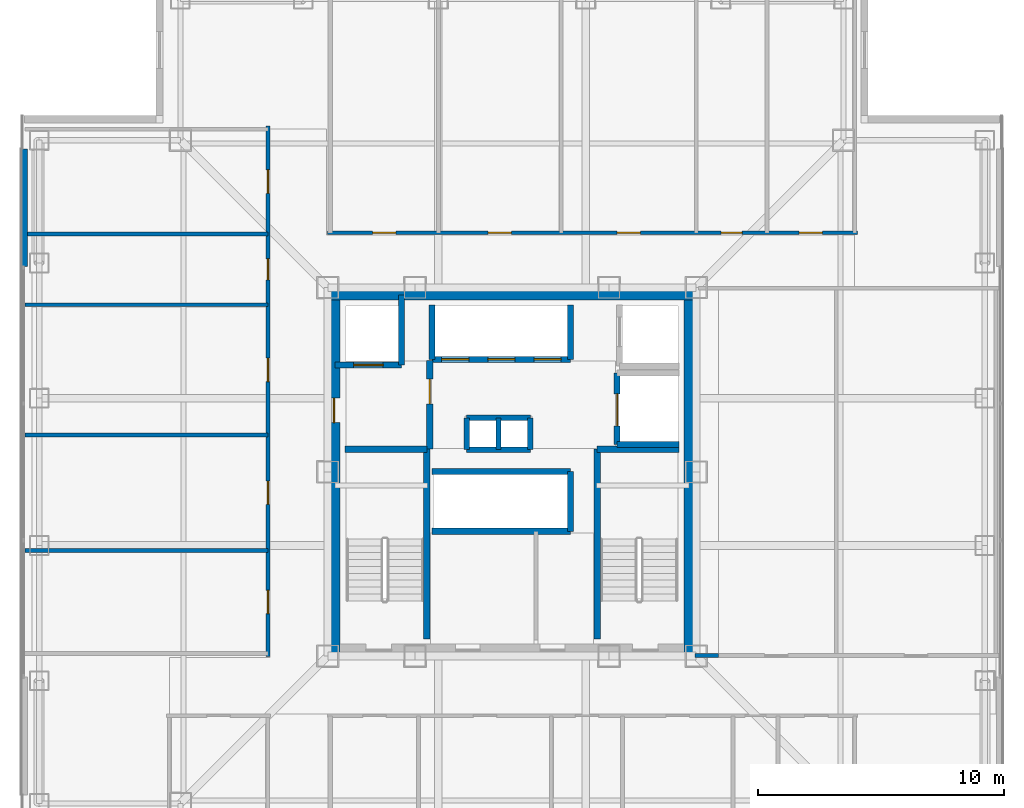
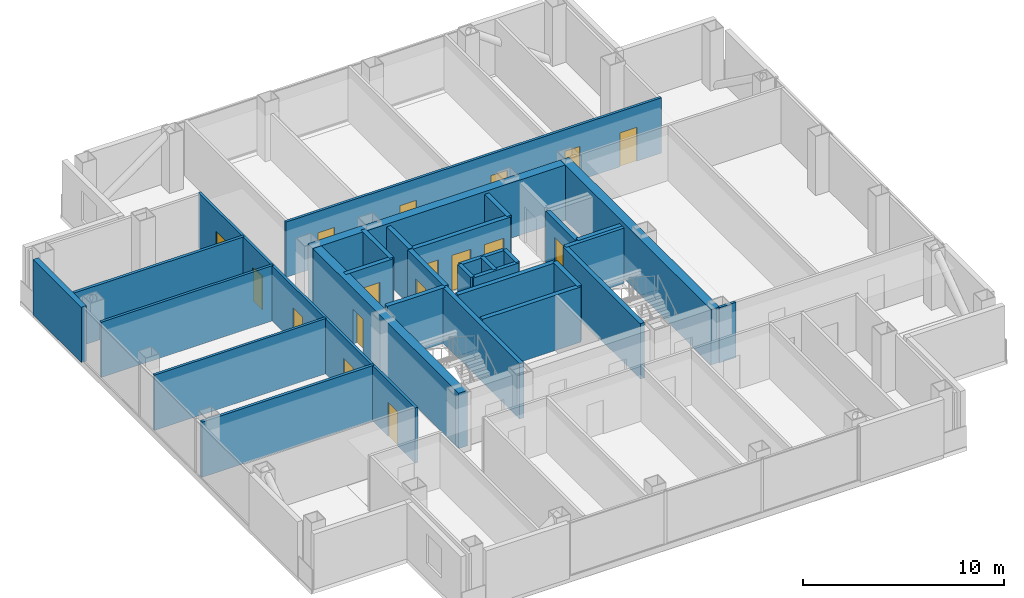
# One storey, part 10 of 17: 31 walls, 17 doors, 17 openings.
"""IFC4 building model written with IfcOpenShell, lengths in metres."""

from ifc_helpers import new_model, si_unit, direction, frame, frame_2d, origin, place, context, subcontext, project, spatial, rectangle, extrude, material, layer, layer_set, type_object, element, fill, save


model = new_model("IFC4")

# Units and contexts
model_context = context("Model", 3, precision=1e-05, world=origin(), true_north=direction((0.0, 1.0)))
body_context = subcontext(model_context, "Body", "Model", "MODEL_VIEW")
ifc_project = project(units=[si_unit("LENGTHUNIT", "METRE"), si_unit("AREAUNIT", "SQUARE_METRE"), si_unit("VOLUMEUNIT", "CUBIC_METRE"), si_unit("PLANEANGLEUNIT", "RADIAN"), si_unit("MASSUNIT", "GRAM", prefix="KILO")], contexts=[model_context])

# Site, building, storey
site_placement = place(None, origin())
site = spatial("IfcSite", under=ifc_project, at=site_placement, CompositionType="ELEMENT")
building_placement = place(site_placement, origin())
building = spatial("IfcBuilding", under=site, at=building_placement, Name="Trevonay Congress Spire", CompositionType="ELEMENT")
storey_placement = place(building_placement, frame((0.0, 0.0, 169.800048828125)))
storey = spatial("IfcBuildingStorey", under=building, at=storey_placement, Name="L43", CompositionType="ELEMENT", Elevation=169.800048828125)

# Wall
ifc_material_1 = material(Name="Concrete C50/60", Category="concrete")
ifc_layer_1 = layer(ifc_material_1, 0.5, Name="Concrete C50/60")
ifc_layer_set_1 = layer_set([ifc_layer_1], Name="Concrete C50/60")
wall_type_1 = type_object("IfcWallType", Name="WAL-CORE-500", PredefinedType="SHEAR", material=ifc_layer_set_1)
wall_1_placement = place(storey_placement, frame((-7.5, 7.25, 0.0), z_axis=(0.0, 0.0, 1.0), x_axis=(1.0, 0.0, 0.0)))
element("IfcWall", 1, at=wall_1_placement, inside=storey, type_object=wall_type_1, Name="L43 North structural core shear wall", PredefinedType="SHEAR", context=body_context, shape_type="SweptSolid", body=[
    extrude(rectangle(XDim=15.0, YDim=0.5, at=frame_2d((7.5, 0.0))), origin(), (0.0, 0.0, 1.0), 3.35986328125),
])

# Wall, opening, door
wall_2_placement = place(storey_placement, frame((-7.25, -7.5, 0.0), z_axis=(0.0, 0.0, 1.0), x_axis=(0.0, 1.0, 0.0)))
wall_2 = element("IfcWall", 2, at=wall_2_placement, inside=storey, type_object=wall_type_1, Name="L43 West structural core shear wall", PredefinedType="SHEAR", context=body_context, shape_type="SweptSolid", body=[
    extrude(rectangle(XDim=15.0, YDim=0.5, at=frame_2d((7.5, 0.0))), origin(), (0.0, 0.0, 1.0), 3.35986328125),
])
opening_1_placement = place(wall_2_placement, frame((9.5, 0.0, 0.0)))
opening_1 = element("IfcOpeningElement", 3, at=opening_1_placement, cuts=wall_2, Name="Opening D06", PredefinedType="OPENING", context=body_context, shape_type="SweptSolid", body=[
    extrude(rectangle(XDim=1.0, YDim=2.080078125, at=frame_2d((0.5, 1.0400390625))), frame((0.0, 0.260009765625, 0.0), z_axis=(0.0, -1.0, 0.0), x_axis=(1.0, 0.0, 0.0)), (0.0, 0.0, 1.0), 0.52001953125),
])
ifc_material_2 = material(Name="Steel ASTM A572 Grade 50", Category="steel")
door_type_1 = type_object("IfcDoorType", Name="DOR-FIRE-100", OperationType="NOTDEFINED", PredefinedType="DOOR", material=ifc_material_2)
door_1_placement = place(opening_1_placement, origin())
door_1 = element("IfcDoor", 4, at=door_1_placement, inside=storey, type_object=door_type_1, Name="L43 Firefighting Lift Lobby West Corridor Door", OperationType="SINGLE_SWING_LEFT", OverallHeight=2.080078125, OverallWidth=1.0, PredefinedType="DOOR", context=body_context, shape_type="SweptSolid", body=[
    extrude(rectangle(XDim=1.0, YDim=2.080078125, at=frame_2d((0.5, 1.0400390625))), frame((0.0, 0.02490234375, 0.0), z_axis=(0.0, -1.0, 0.0), x_axis=(1.0, 0.0, 0.0)), (0.0, 0.0, 1.0), 0.050048828125),
])
fill(opening_1, door_1)

# Wall
wall_3_placement = place(storey_placement, frame((7.25, -7.5, 0.0), z_axis=(0.0, 0.0, 1.0), x_axis=(0.0, 1.0, 0.0)))
element("IfcWall", 5, at=wall_3_placement, inside=storey, type_object=wall_type_1, Name="L43 East structural core shear wall", PredefinedType="SHEAR", context=body_context, shape_type="SweptSolid", body=[
    extrude(rectangle(XDim=15.0, YDim=0.5, at=frame_2d((7.5, 0.0))), origin(), (0.0, 0.0, 1.0), 3.35986328125),
])

# Wall, openings, doors
ifc_material_3 = material(Name="Concrete C40/50", Category="concrete")
ifc_layer_2 = layer(ifc_material_3, 0.14990234375, Name="Concrete C40/50")
ifc_layer_set_2 = layer_set([ifc_layer_2], Name="Concrete C40/50")
wall_type_2 = type_object("IfcWallType", Name="WAL-CORR-150", PredefinedType="PARTITIONING", material=ifc_layer_set_2)
wall_4_placement = place(storey_placement, frame((-9.929931640625, -7.52001953125, 0.0), z_axis=(0.0, 0.0, 1.0), x_axis=(0.0, 1.0, 0.0)))
wall_4 = element("IfcWall", 6, at=wall_4_placement, inside=storey, type_object=wall_type_2, Name="L43 interior wall WP-L43NW-COR", PredefinedType="PARTITIONING", context=body_context, shape_type="SweptSolid", body=[
    extrude(rectangle(XDim=21.590087890625, YDim=0.14990234375, at=frame_2d((10.794921875, 0.0))), origin(), (0.0, 0.0, 1.0), 3.35986328125),
])
opening_2_placement = place(wall_4_placement, frame((1.7451171875, 0.0, 0.0)))
opening_2 = element("IfcOpeningElement", 7, at=opening_2_placement, cuts=wall_4, Name="Opening D07", PredefinedType="OPENING", context=body_context, shape_type="SweptSolid", body=[
    extrude(rectangle(XDim=0.949951171875, YDim=2.06005859375, at=frame_2d((0.47509765625, 1.030029296875))), frame((0.0, 0.0849609375, 0.0), z_axis=(0.0, -1.0, 0.0), x_axis=(1.0, 0.0, 0.0)), (0.0, 0.0, 1.0), 0.169921875),
])
opening_3_placement = place(wall_4_placement, frame((6.195068359375, 0.0, 0.0)))
opening_3 = element("IfcOpeningElement", 8, at=opening_3_placement, cuts=wall_4, Name="Opening D07", PredefinedType="OPENING", context=body_context, shape_type="SweptSolid", body=[
    extrude(rectangle(XDim=0.949951171875, YDim=2.06005859375, at=frame_2d((0.47509765625, 1.030029296875))), frame((0.0, 0.0849609375, 0.0), z_axis=(0.0, -1.0, 0.0), x_axis=(1.0, 0.0, 0.0)), (0.0, 0.0, 1.0), 0.169921875),
])
opening_4_placement = place(wall_4_placement, frame((11.195068359375, 0.0, 0.0)))
opening_4 = element("IfcOpeningElement", 9, at=opening_4_placement, cuts=wall_4, Name="Opening D07", PredefinedType="OPENING", context=body_context, shape_type="SweptSolid", body=[
    extrude(rectangle(XDim=0.949951171875, YDim=2.06005859375, at=frame_2d((0.47509765625, 1.030029296875))), frame((0.0, 0.0849609375, 0.0), z_axis=(0.0, -1.0, 0.0), x_axis=(1.0, 0.0, 0.0)), (0.0, 0.0, 1.0), 0.169921875),
])
opening_5_placement = place(wall_4_placement, frame((15.3349609375, 0.0, 0.0)))
opening_5 = element("IfcOpeningElement", 10, at=opening_5_placement, cuts=wall_4, Name="Opening D10", PredefinedType="OPENING", context=body_context, shape_type="SweptSolid", body=[
    extrude(rectangle(XDim=0.85009765625, YDim=2.050048828125, at=frame_2d((0.425048828125, 1.02490234375))), frame((0.0, 0.0849609375, 0.0), z_axis=(0.0, -1.0, 0.0), x_axis=(1.0, 0.0, 0.0)), (0.0, 0.0, 1.0), 0.169921875),
])
opening_6_placement = place(wall_4_placement, frame((18.860107421875, 0.0, 0.0)))
opening_6 = element("IfcOpeningElement", 11, at=opening_6_placement, cuts=wall_4, Name="Opening D07", PredefinedType="OPENING", context=body_context, shape_type="SweptSolid", body=[
    extrude(rectangle(XDim=0.949951171875, YDim=2.06005859375, at=frame_2d((0.47509765625, 1.030029296875))), frame((0.0, 0.0849609375, 0.0), z_axis=(0.0, -1.0, 0.0), x_axis=(1.0, 0.0, 0.0)), (0.0, 0.0, 1.0), 0.169921875),
])
ifc_material_4 = material(Name="Pale Anodised Aluminium EN AW-6063-T6", Category="aluminium")
door_type_2 = type_object("IfcDoorType", Name="DOR-OFFICE-95", OperationType="NOTDEFINED", PredefinedType="DOOR", material=ifc_material_4)
door_2_placement = place(opening_2_placement, origin())
door_2 = element("IfcDoor", 12, at=door_2_placement, inside=storey, type_object=door_type_2, Name="L43 Charterparty Office 5 Door", OperationType="SINGLE_SWING_RIGHT", OverallHeight=2.06005859375, OverallWidth=0.949951171875, PredefinedType="DOOR", context=body_context, shape_type="SweptSolid", body=[
    extrude(rectangle(XDim=0.949951171875, YDim=2.06005859375, at=frame_2d((0.47509765625, 1.030029296875))), frame((0.0, 0.02490234375, 0.0), z_axis=(0.0, -1.0, 0.0), x_axis=(1.0, 0.0, 0.0)), (0.0, 0.0, 1.0), 0.050048828125),
])
fill(opening_2, door_2)
door_3_placement = place(opening_3_placement, origin())
door_3 = element("IfcDoor", 13, at=door_3_placement, inside=storey, type_object=door_type_2, Name="L43 Claims Office 6 Door", OperationType="SINGLE_SWING_LEFT", OverallHeight=2.06005859375, OverallWidth=0.949951171875, PredefinedType="DOOR", context=body_context, shape_type="SweptSolid", body=[
    extrude(rectangle(XDim=0.949951171875, YDim=2.06005859375, at=frame_2d((0.47509765625, 1.030029296875))), frame((0.0, 0.02490234375, 0.0), z_axis=(0.0, -1.0, 0.0), x_axis=(1.0, 0.0, 0.0)), (0.0, 0.0, 1.0), 0.050048828125),
])
fill(opening_3, door_3)
door_4_placement = place(opening_4_placement, origin())
door_4 = element("IfcDoor", 14, at=door_4_placement, inside=storey, type_object=door_type_2, Name="L43 Registry Office 7 Door", OperationType="SINGLE_SWING_RIGHT", OverallHeight=2.06005859375, OverallWidth=0.949951171875, PredefinedType="DOOR", context=body_context, shape_type="SweptSolid", body=[
    extrude(rectangle(XDim=0.949951171875, YDim=2.06005859375, at=frame_2d((0.47509765625, 1.030029296875))), frame((0.0, 0.02490234375, 0.0), z_axis=(0.0, -1.0, 0.0), x_axis=(1.0, 0.0, 0.0)), (0.0, 0.0, 1.0), 0.050048828125),
])
fill(opening_4, door_4)
door_5_placement = place(opening_6_placement, origin())
door_5 = element("IfcDoor", 15, at=door_5_placement, inside=storey, type_object=door_type_2, Name="L43 Floor Supplies and Copy Room Door", OperationType="SINGLE_SWING_RIGHT", OverallHeight=2.06005859375, OverallWidth=0.949951171875, PredefinedType="DOOR", context=body_context, shape_type="SweptSolid", body=[
    extrude(rectangle(XDim=0.949951171875, YDim=2.06005859375, at=frame_2d((0.47509765625, 1.030029296875))), frame((0.0, 0.02490234375, 0.0), z_axis=(0.0, -1.0, 0.0), x_axis=(1.0, 0.0, 0.0)), (0.0, 0.0, 1.0), 0.050048828125),
])
fill(opening_6, door_5)
door_type_3 = type_object("IfcDoorType", Name="DOR-WC-85", OperationType="NOTDEFINED", PredefinedType="DOOR", material=ifc_material_4)
door_6_placement = place(opening_5_placement, origin())
door_6 = element("IfcDoor", 16, at=door_6_placement, inside=storey, type_object=door_type_3, Name="L43 Male Restroom WC Door", OperationType="SINGLE_SWING_LEFT", OverallHeight=2.050048828125, OverallWidth=0.85009765625, PredefinedType="DOOR", context=body_context, shape_type="SweptSolid", body=[
    extrude(rectangle(XDim=0.85009765625, YDim=2.050048828125, at=frame_2d((0.425048828125, 1.02490234375))), frame((0.0, 0.02490234375, 0.0), z_axis=(0.0, -1.0, 0.0), x_axis=(1.0, 0.0, 0.0)), (0.0, 0.0, 1.0), 0.050048828125),
])
fill(opening_5, door_6)

wall_5_placement = place(storey_placement, frame((-7.52001953125, 9.72998046875, 0.0), z_axis=(0.0, 0.0, 1.0), x_axis=(1.0, 0.0, 0.0)))
wall_5 = element("IfcWall", 17, at=wall_5_placement, inside=storey, type_object=wall_type_2, Name="L43 interior wall WP-L43N-COR", PredefinedType="PARTITIONING", context=body_context, shape_type="SweptSolid", body=[
    extrude(rectangle(XDim=21.590087890625, YDim=0.14990234375, at=frame_2d((10.794921875, 0.0))), origin(), (0.0, 0.0, 1.0), 3.35986328125),
])
opening_7_placement = place(wall_5_placement, frame((1.844970703125, 0.0, 0.0)))
opening_7 = element("IfcOpeningElement", 18, at=opening_7_placement, cuts=wall_5, Name="Opening D07", PredefinedType="OPENING", context=body_context, shape_type="SweptSolid", body=[
    extrude(rectangle(XDim=0.949951171875, YDim=2.06005859375, at=frame_2d((0.47509765625, 1.030029296875))), frame((0.0, 0.0849609375, 0.0), z_axis=(0.0, -1.0, 0.0), x_axis=(1.0, 0.0, 0.0)), (0.0, 0.0, 1.0), 0.169921875),
])
opening_8_placement = place(wall_5_placement, frame((6.544921875, 0.0, 0.0)))
opening_8 = element("IfcOpeningElement", 19, at=opening_8_placement, cuts=wall_5, Name="Opening D07", PredefinedType="OPENING", context=body_context, shape_type="SweptSolid", body=[
    extrude(rectangle(XDim=0.949951171875, YDim=2.06005859375, at=frame_2d((0.47509765625, 1.030029296875))), frame((0.0, 0.0849609375, 0.0), z_axis=(0.0, -1.0, 0.0), x_axis=(1.0, 0.0, 0.0)), (0.0, 0.0, 1.0), 0.169921875),
])
opening_9_placement = place(wall_5_placement, frame((11.794921875, 0.0, 0.0)))
opening_9 = element("IfcOpeningElement", 20, at=opening_9_placement, cuts=wall_5, Name="Opening D07", PredefinedType="OPENING", context=body_context, shape_type="SweptSolid", body=[
    extrude(rectangle(XDim=0.949951171875, YDim=2.06005859375, at=frame_2d((0.47509765625, 1.030029296875))), frame((0.0, 0.0849609375, 0.0), z_axis=(0.0, -1.0, 0.0), x_axis=(1.0, 0.0, 0.0)), (0.0, 0.0, 1.0), 0.169921875),
])
opening_10_placement = place(wall_5_placement, frame((16.034912109375, 0.0, 0.0)))
opening_10 = element("IfcOpeningElement", 21, at=opening_10_placement, cuts=wall_5, Name="Opening D10", PredefinedType="OPENING", context=body_context, shape_type="SweptSolid", body=[
    extrude(rectangle(XDim=0.85009765625, YDim=2.050048828125, at=frame_2d((0.425048828125, 1.02490234375))), frame((0.0, 0.0849609375, 0.0), z_axis=(0.0, -1.0, 0.0), x_axis=(1.0, 0.0, 0.0)), (0.0, 0.0, 1.0), 0.169921875),
])
opening_11_placement = place(wall_5_placement, frame((19.2099609375, 0.0, 0.0)))
opening_11 = element("IfcOpeningElement", 22, at=opening_11_placement, cuts=wall_5, Name="Opening D07", PredefinedType="OPENING", context=body_context, shape_type="SweptSolid", body=[
    extrude(rectangle(XDim=0.949951171875, YDim=2.06005859375, at=frame_2d((0.47509765625, 1.030029296875))), frame((0.0, 0.0849609375, 0.0), z_axis=(0.0, -1.0, 0.0), x_axis=(1.0, 0.0, 0.0)), (0.0, 0.0, 1.0), 0.169921875),
])
door_7_placement = place(opening_7_placement, origin())
door_7 = element("IfcDoor", 23, at=door_7_placement, inside=storey, type_object=door_type_2, Name="L43 Tax Counsel Office 8 Door", OperationType="SINGLE_SWING_LEFT", OverallHeight=2.06005859375, OverallWidth=0.949951171875, PredefinedType="DOOR", context=body_context, shape_type="SweptSolid", body=[
    extrude(rectangle(XDim=0.949951171875, YDim=2.06005859375, at=frame_2d((0.47509765625, 1.030029296875))), frame((0.0, 0.02490234375, 0.0), z_axis=(0.0, -1.0, 0.0), x_axis=(1.0, 0.0, 0.0)), (0.0, 0.0, 1.0), 0.050048828125),
])
fill(opening_7, door_7)
door_8_placement = place(opening_8_placement, origin())
door_8 = element("IfcDoor", 24, at=door_8_placement, inside=storey, type_object=door_type_2, Name="L43 Compliance Office 9 Door", OperationType="SINGLE_SWING_RIGHT", OverallHeight=2.06005859375, OverallWidth=0.949951171875, PredefinedType="DOOR", context=body_context, shape_type="SweptSolid", body=[
    extrude(rectangle(XDim=0.949951171875, YDim=2.06005859375, at=frame_2d((0.47509765625, 1.030029296875))), frame((0.0, 0.02490234375, 0.0), z_axis=(0.0, -1.0, 0.0), x_axis=(1.0, 0.0, 0.0)), (0.0, 0.0, 1.0), 0.050048828125),
])
fill(opening_8, door_8)
door_9_placement = place(opening_9_placement, origin())
door_9 = element("IfcDoor", 25, at=door_9_placement, inside=storey, type_object=door_type_2, Name="L43 Billing Office 10 Door", OperationType="SINGLE_SWING_LEFT", OverallHeight=2.06005859375, OverallWidth=0.949951171875, PredefinedType="DOOR", context=body_context, shape_type="SweptSolid", body=[
    extrude(rectangle(XDim=0.949951171875, YDim=2.06005859375, at=frame_2d((0.47509765625, 1.030029296875))), frame((0.0, 0.02490234375, 0.0), z_axis=(0.0, -1.0, 0.0), x_axis=(1.0, 0.0, 0.0)), (0.0, 0.0, 1.0), 0.050048828125),
])
fill(opening_9, door_9)
door_10_placement = place(opening_11_placement, origin())
door_10 = element("IfcDoor", 26, at=door_10_placement, inside=storey, type_object=door_type_2, Name="L43 Floor Supplies and Copy Room Door", OperationType="SINGLE_SWING_LEFT", OverallHeight=2.06005859375, OverallWidth=0.949951171875, PredefinedType="DOOR", context=body_context, shape_type="SweptSolid", body=[
    extrude(rectangle(XDim=0.949951171875, YDim=2.06005859375, at=frame_2d((0.47509765625, 1.030029296875))), frame((0.0, 0.02490234375, 0.0), z_axis=(0.0, -1.0, 0.0), x_axis=(1.0, 0.0, 0.0)), (0.0, 0.0, 1.0), 0.050048828125),
])
fill(opening_11, door_10)
door_11_placement = place(opening_10_placement, origin())
door_11 = element("IfcDoor", 27, at=door_11_placement, inside=storey, type_object=door_type_3, Name="L43 Female Restroom WC Door", OperationType="SINGLE_SWING_RIGHT", OverallHeight=2.050048828125, OverallWidth=0.85009765625, PredefinedType="DOOR", context=body_context, shape_type="SweptSolid", body=[
    extrude(rectangle(XDim=0.85009765625, YDim=2.050048828125, at=frame_2d((0.425048828125, 1.02490234375))), frame((0.0, 0.02490234375, 0.0), z_axis=(0.0, -1.0, 0.0), x_axis=(1.0, 0.0, 0.0)), (0.0, 0.0, 1.0), 0.050048828125),
])
fill(opening_10, door_11)

# Walls
wall_6_placement = place(storey_placement, frame((7.449951171875, -7.47998046875, 0.0), z_axis=(0.0, 0.0, 1.0), x_axis=(1.0, 0.0, 0.0)))
element("IfcWall", 28, at=wall_6_placement, inside=storey, type_object=wall_type_2, Name="L43 interior wall WP-L43E-STUB", PredefinedType="PARTITIONING", context=body_context, shape_type="SweptSolid", body=[
    extrude(rectangle(XDim=0.949951171875, YDim=0.14990234375, at=frame_2d((0.47509765625, 0.0))), origin(), (0.0, 0.0, 1.0), 3.35986328125),
])
ifc_material_5 = material(Name="Precast concrete C40/50", Category="concrete")
ifc_layer_3 = layer(ifc_material_5, 0.300048828125, Name="Precast concrete C40/50")
ifc_layer_set_3 = layer_set([ifc_layer_3], Name="Precast concrete C40/50")
wall_type_3 = type_object("IfcWallType", Name="WAL-EXT-PRECAST-300", PredefinedType="SOLIDWALL", material=ifc_layer_set_3)
wall_7_placement = place(storey_placement, frame((-19.8798828125, 8.35009765625, 0.0), z_axis=(0.0, 0.0, 1.0), x_axis=(0.0, 1.0, 0.0)))
element("IfcWall", 29, at=wall_7_placement, inside=storey, type_object=wall_type_3, Name="L43 WR braced-bay exterior pier wall", PredefinedType="SOLIDWALL", context=body_context, shape_type="SweptSolid", body=[
    extrude(rectangle(XDim=4.7998046875, YDim=0.300048828125, at=frame_2d((2.39990234375, 0.0))), origin(), (0.0, 0.0, 1.0), 3.35986328125),
])
ifc_layer_4 = layer(ifc_material_3, 0.14990234375, Name="Concrete C40/50")
ifc_layer_set_4 = layer_set([ifc_layer_4], Name="Concrete C40/50")
wall_type_4 = type_object("IfcWallType", Name="WAL-PART-150", PredefinedType="PARTITIONING", material=ifc_layer_set_4)
for number, where, z_axis, x_axis, name in (
    (30, (-19.820068359375, 1.5, 0.0), (0.0, 0.0, 1.0), (1.0, 0.0, 0.0), "L43 interior wall WP-L43NW-DIV3"),
    (31, (-19.820068359375, 6.800048828125, 0.0), (0.0, 0.0, 1.0), (1.0, 0.0, 0.0), "L43 interior wall WP-L43NW-DIV4"),
):
    element("IfcWall", number, at=place(storey_placement, frame(where, z_axis=z_axis, x_axis=x_axis)), inside=storey, type_object=wall_type_4, Name=name, PredefinedType="PARTITIONING", context=body_context, shape_type="SweptSolid", body=[
        extrude(rectangle(XDim=9.89013671875, YDim=0.14990234375, at=frame_2d((4.945068359375, 0.0))), origin(), (0.0, 0.0, 1.0), 3.35986328125),
    ])
ifc_layer_5 = layer(ifc_material_3, 0.219970703125, Name="Concrete C40/50")
ifc_layer_set_5 = layer_set([ifc_layer_5], Name="Concrete C40/50")
wall_type_5 = type_object("IfcWallType", Name="WAL-SHAFT-220", PredefinedType="PARTITIONING", material=ifc_layer_set_5)
for number, where, z_axis, x_axis, name in (
    (32, (-1.85009765625, 2.199951171875, 0.0), (0.0, 0.0, 1.0), (1.0, 0.0, 0.0), "L43 interior shaft wall WSH-L43-RSR-N"),
    (33, (-1.85009765625, 0.89990234375, 0.0), (0.0, 0.0, 1.0), (1.0, 0.0, 0.0), "L43 interior shaft wall WSH-L43-RSR-S"),
):
    element("IfcWall", number, at=place(storey_placement, frame(where, z_axis=z_axis, x_axis=x_axis)), inside=storey, type_object=wall_type_5, Name=name, PredefinedType="PARTITIONING", context=body_context, shape_type="SweptSolid", body=[
        extrude(rectangle(XDim=2.60009765625, YDim=0.219970703125, at=frame_2d((1.300048828125, 0.0))), origin(), (0.0, 0.0, 1.0), 3.35986328125),
    ])
for number, where, z_axis, x_axis, name in (
    (34, (-0.550048828125, 0.89990234375, 0.0), (0.0, 0.0, 1.0), (0.0, 1.0, 0.0), "L43 interior shaft wall WSH-L43-RSR-M"),
    (35, (0.75, 0.89990234375, 0.0), (0.0, 0.0, 1.0), (0.0, 1.0, 0.0), "L43 interior shaft wall WSH-L43-RSR-E"),
    (36, (-1.85009765625, 0.89990234375, 0.0), (0.0, 0.0, 1.0), (0.0, 1.0, 0.0), "L43 interior shaft wall WSH-L43-RSR-W"),
):
    element("IfcWall", number, at=place(storey_placement, frame(where, z_axis=z_axis, x_axis=x_axis)), inside=storey, type_object=wall_type_5, Name=name, PredefinedType="PARTITIONING", context=body_context, shape_type="SweptSolid", body=[
        extrude(rectangle(XDim=1.300048828125, YDim=0.219970703125, at=frame_2d((0.64990234375, 0.0))), origin(), (0.0, 0.0, 1.0), 3.35986328125),
    ])
ifc_layer_6 = layer(ifc_material_3, 0.25, Name="Concrete C40/50")
ifc_layer_set_6 = layer_set([ifc_layer_6], Name="Concrete C40/50")
wall_type_6 = type_object("IfcWallType", Name="WAL-SHAFT-250", PredefinedType="SHEAR", material=ifc_layer_set_6)
for number, where, z_axis, x_axis, name in (
    (37, (-3.260009765625, 0.02001953125, 0.0), (0.0, 0.0, 1.0), (1.0, 0.0, 0.0), "L43 interior shaft wall WSH-L43-B2-N"),
    (38, (-3.260009765625, -2.419921875, 0.0), (0.0, 0.0, 1.0), (1.0, 0.0, 0.0), "L43 interior shaft wall WSH-L43-B2-S"),
):
    element("IfcWall", number, at=place(storey_placement, frame(where, z_axis=z_axis, x_axis=x_axis)), inside=storey, type_object=wall_type_6, Name=name, PredefinedType="SHEAR", context=body_context, shape_type="SweptSolid", body=[
        extrude(rectangle(XDim=5.639892578125, YDim=0.25, at=frame_2d((2.81982421875, 0.0))), origin(), (0.0, 0.0, 1.0), 3.35986328125),
    ])
wall_8_placement = place(storey_placement, frame((2.3798828125, -2.419921875, 0.0), z_axis=(0.0, 0.0, 1.0), x_axis=(0.0, 1.0, 0.0)))
element("IfcWall", 39, at=wall_8_placement, inside=storey, type_object=wall_type_6, Name="L43 interior shaft wall WSH-L43-B2-E", PredefinedType="SHEAR", context=body_context, shape_type="SweptSolid", body=[
    extrude(rectangle(XDim=2.43994140625, YDim=0.25, at=frame_2d((1.219970703125, 0.0))), origin(), (0.0, 0.0, 1.0), 3.35986328125),
])

# Wall, openings, doors
wall_9_placement = place(storey_placement, frame((-3.260009765625, 4.580078125, 0.0), z_axis=(0.0, 0.0, 1.0), x_axis=(1.0, 0.0, 0.0)))
wall_9 = element("IfcWall", 40, at=wall_9_placement, inside=storey, type_object=wall_type_6, Name="L43 interior shaft wall WSH-L43-B3-S", PredefinedType="SHEAR", context=body_context, shape_type="SweptSolid", body=[
    extrude(rectangle(XDim=5.639892578125, YDim=0.25, at=frame_2d((2.81982421875, 0.0))), origin(), (0.0, 0.0, 1.0), 3.35986328125),
])
opening_12_placement = place(wall_9_placement, frame((0.39990234375, 0.0, 0.0)))
opening_12 = element("IfcOpeningElement", 41, at=opening_12_placement, cuts=wall_9, Name="Opening LD03", PredefinedType="OPENING", context=body_context, shape_type="SweptSolid", body=[
    extrude(rectangle(XDim=1.10009765625, YDim=2.199951171875, at=frame_2d((0.550048828125, 1.10009765625))), frame((0.0, 0.135009765625, 0.0), z_axis=(0.0, -1.0, 0.0), x_axis=(1.0, 0.0, 0.0)), (0.0, 0.0, 1.0), 0.27001953125),
])
opening_13_placement = place(wall_9_placement, frame((2.280029296875, 0.0, 0.0)))
opening_13 = element("IfcOpeningElement", 42, at=opening_13_placement, cuts=wall_9, Name="Opening LD03", PredefinedType="OPENING", context=body_context, shape_type="SweptSolid", body=[
    extrude(rectangle(XDim=1.10009765625, YDim=2.199951171875, at=frame_2d((0.550048828125, 1.10009765625))), frame((0.0, 0.135009765625, 0.0), z_axis=(0.0, -1.0, 0.0), x_axis=(1.0, 0.0, 0.0)), (0.0, 0.0, 1.0), 0.27001953125),
])
opening_14_placement = place(wall_9_placement, frame((4.159912109375, 0.0, 0.0)))
opening_14 = element("IfcOpeningElement", 43, at=opening_14_placement, cuts=wall_9, Name="Opening LD03", PredefinedType="OPENING", context=body_context, shape_type="SweptSolid", body=[
    extrude(rectangle(XDim=1.10009765625, YDim=2.199951171875, at=frame_2d((0.550048828125, 1.10009765625))), frame((0.0, 0.135009765625, 0.0), z_axis=(0.0, -1.0, 0.0), x_axis=(1.0, 0.0, 0.0)), (0.0, 0.0, 1.0), 0.27001953125),
])
door_type_4 = type_object("IfcDoorType", Name="DOR-LIFT-LD03", OperationType="DOUBLE_DOOR_SLIDING", PredefinedType="DOOR", material=ifc_material_4)
door_12_placement = place(opening_12_placement, origin())
door_12 = element("IfcDoor", 44, at=door_12_placement, inside=storey, type_object=door_type_4, Name="L43 Passenger lift PL-07 landing door", OperationType="DOUBLE_DOOR_SLIDING", OverallHeight=2.199951171875, OverallWidth=1.10009765625, PredefinedType="DOOR", context=body_context, shape_type="SweptSolid", body=[
    extrude(rectangle(XDim=1.10009765625, YDim=2.199951171875, at=frame_2d((0.550048828125, 1.10009765625))), frame((0.0, 0.02490234375, 0.0), z_axis=(0.0, -1.0, 0.0), x_axis=(1.0, 0.0, 0.0)), (0.0, 0.0, 1.0), 0.050048828125),
])
fill(opening_12, door_12)
door_13_placement = place(opening_13_placement, origin())
door_13 = element("IfcDoor", 45, at=door_13_placement, inside=storey, type_object=door_type_4, Name="L43 Passenger lift PL-08 landing door", OperationType="DOUBLE_DOOR_SLIDING", OverallHeight=2.199951171875, OverallWidth=1.10009765625, PredefinedType="DOOR", context=body_context, shape_type="SweptSolid", body=[
    extrude(rectangle(XDim=1.10009765625, YDim=2.199951171875, at=frame_2d((0.550048828125, 1.10009765625))), frame((0.0, 0.02490234375, 0.0), z_axis=(0.0, -1.0, 0.0), x_axis=(1.0, 0.0, 0.0)), (0.0, 0.0, 1.0), 0.050048828125),
])
fill(opening_13, door_13)
door_14_placement = place(opening_14_placement, origin())
door_14 = element("IfcDoor", 46, at=door_14_placement, inside=storey, type_object=door_type_4, Name="L43 Passenger lift PL-09 landing door", OperationType="DOUBLE_DOOR_SLIDING", OverallHeight=2.199951171875, OverallWidth=1.10009765625, PredefinedType="DOOR", context=body_context, shape_type="SweptSolid", body=[
    extrude(rectangle(XDim=1.10009765625, YDim=2.199951171875, at=frame_2d((0.550048828125, 1.10009765625))), frame((0.0, 0.02490234375, 0.0), z_axis=(0.0, -1.0, 0.0), x_axis=(1.0, 0.0, 0.0)), (0.0, 0.0, 1.0), 0.050048828125),
])
fill(opening_14, door_14)

# Walls
for number, where, z_axis, x_axis, name in (
    (47, (-3.260009765625, 4.580078125, 0.0), (0.0, 0.0, 1.0), (0.0, 1.0, 0.0), "L43 interior shaft wall WSH-L43-B3-W"),
    (48, (2.3798828125, 4.580078125, 0.0), (0.0, 0.0, 1.0), (0.0, 1.0, 0.0), "L43 interior shaft wall WSH-L43-B3-E"),
):
    element("IfcWall", number, at=place(storey_placement, frame(where, z_axis=z_axis, x_axis=x_axis)), inside=storey, type_object=wall_type_6, Name=name, PredefinedType="SHEAR", context=body_context, shape_type="SweptSolid", body=[
        extrude(rectangle(XDim=2.219970703125, YDim=0.25, at=frame_2d((1.10986328125, 0.0))), origin(), (0.0, 0.0, 1.0), 3.35986328125),
    ])

# Wall, opening, door
wall_10_placement = place(storey_placement, frame((-7.199951171875, 4.35009765625, 0.0), z_axis=(0.0, 0.0, 1.0), x_axis=(1.0, 0.0, 0.0)))
wall_10 = element("IfcWall", 49, at=wall_10_placement, inside=storey, type_object=wall_type_6, Name="L43 interior shaft wall WSH-L43-FF1-S", PredefinedType="SHEAR", context=body_context, shape_type="SweptSolid", body=[
    extrude(rectangle(XDim=2.699951171875, YDim=0.25, at=frame_2d((1.35009765625, 0.0))), origin(), (0.0, 0.0, 1.0), 3.35986328125),
])
opening_15_placement = place(wall_10_placement, frame((0.75, 0.0, 0.0)))
opening_15 = element("IfcOpeningElement", 50, at=opening_15_placement, cuts=wall_10, Name="Opening LD04", PredefinedType="OPENING", context=body_context, shape_type="SweptSolid", body=[
    extrude(rectangle(XDim=1.199951171875, YDim=2.199951171875, at=frame_2d((0.60009765625, 1.10009765625))), frame((0.0, 0.135009765625, 0.0), z_axis=(0.0, -1.0, 0.0), x_axis=(1.0, 0.0, 0.0)), (0.0, 0.0, 1.0), 0.27001953125),
])
door_type_5 = type_object("IfcDoorType", Name="DOR-LIFT-LD04", OperationType="DOUBLE_DOOR_SLIDING", PredefinedType="DOOR", material=ifc_material_2)
door_15_placement = place(opening_15_placement, origin())
door_15 = element("IfcDoor", 51, at=door_15_placement, inside=storey, type_object=door_type_5, Name="L43 Firefighting lift FFL-01 landing door", OperationType="DOUBLE_DOOR_SLIDING", OverallHeight=2.199951171875, OverallWidth=1.199951171875, PredefinedType="DOOR", context=body_context, shape_type="SweptSolid", body=[
    extrude(rectangle(XDim=1.199951171875, YDim=2.199951171875, at=frame_2d((0.60009765625, 1.10009765625))), frame((0.0, 0.02490234375, 0.0), z_axis=(0.0, -1.0, 0.0), x_axis=(1.0, 0.0, 0.0)), (0.0, 0.0, 1.0), 0.050048828125),
])
fill(opening_15, door_15)

# Wall
wall_11_placement = place(storey_placement, frame((-4.5, 4.35009765625, 0.0), z_axis=(0.0, 0.0, 1.0), x_axis=(0.0, 1.0, 0.0)))
element("IfcWall", 52, at=wall_11_placement, inside=storey, type_object=wall_type_6, Name="L43 interior shaft wall WSH-L43-FF1-E", PredefinedType="SHEAR", context=body_context, shape_type="SweptSolid", body=[
    extrude(rectangle(XDim=2.849853515625, YDim=0.25, at=frame_2d((1.4248046875, 0.0))), origin(), (0.0, 0.0, 1.0), 3.35986328125),
])

# Wall, opening, door
wall_12_placement = place(storey_placement, frame((4.280029296875, 1.1201171875, 0.0), z_axis=(0.0, 0.0, 1.0), x_axis=(0.0, 1.0, 0.0)))
wall_12 = element("IfcWall", 53, at=wall_12_placement, inside=storey, type_object=wall_type_6, Name="L43 interior shaft wall WSH-L43-SV-W", PredefinedType="SHEAR", context=body_context, shape_type="SweptSolid", body=[
    extrude(rectangle(XDim=2.89990234375, YDim=0.25, at=frame_2d((1.449951171875, 0.0))), origin(), (0.0, 0.0, 1.0), 3.35986328125),
])
opening_16_placement = place(wall_12_placement, frame((0.75, 0.0, 0.0)))
opening_16 = element("IfcOpeningElement", 54, at=opening_16_placement, cuts=wall_12, Name="Opening LD05", PredefinedType="OPENING", context=body_context, shape_type="SweptSolid", body=[
    extrude(rectangle(XDim=1.300048828125, YDim=2.300048828125, at=frame_2d((0.64990234375, 1.14990234375))), frame((0.0, 0.135009765625, 0.0), z_axis=(0.0, -1.0, 0.0), x_axis=(1.0, 0.0, 0.0)), (0.0, 0.0, 1.0), 0.27001953125),
])
door_type_6 = type_object("IfcDoorType", Name="DOR-LIFT-LD05", OperationType="DOUBLE_DOOR_SLIDING", PredefinedType="DOOR", material=ifc_material_2)
door_16_placement = place(opening_16_placement, origin())
door_16 = element("IfcDoor", 55, at=door_16_placement, inside=storey, type_object=door_type_6, Name="L43 Goods lift SVL-01 landing door", OperationType="DOUBLE_DOOR_SLIDING", OverallHeight=2.300048828125, OverallWidth=1.300048828125, PredefinedType="DOOR", context=body_context, shape_type="SweptSolid", body=[
    extrude(rectangle(XDim=1.300048828125, YDim=2.300048828125, at=frame_2d((0.64990234375, 1.14990234375))), frame((0.0, 0.02490234375, 0.0), z_axis=(0.0, -1.0, 0.0), x_axis=(1.0, 0.0, 0.0)), (0.0, 0.0, 1.0), 0.050048828125),
])
fill(opening_16, door_16)

# Wall
wall_13_placement = place(storey_placement, frame((4.280029296875, 1.1201171875, 0.0), z_axis=(0.0, 0.0, 1.0), x_axis=(1.0, 0.0, 0.0)))
element("IfcWall", 56, at=wall_13_placement, inside=storey, type_object=wall_type_6, Name="L43 interior shaft wall WSH-L43-SV-S", PredefinedType="SHEAR", context=body_context, shape_type="SweptSolid", body=[
    extrude(rectangle(XDim=2.52001953125, YDim=0.25, at=frame_2d((1.260009765625, 0.0))), origin(), (0.0, 0.0, 1.0), 3.35986328125),
])

# Wall, opening, door
wall_14_placement = place(storey_placement, frame((-3.35009765625, 0.919921875, 0.0), z_axis=(0.0, 0.0, 1.0), x_axis=(0.0, 1.0, 0.0)))
wall_14 = element("IfcWall", 57, at=wall_14_placement, inside=storey, type_object=wall_type_6, Name="L43 interior wall CW-FFLW-E-L43", PredefinedType="SHEAR", context=body_context, shape_type="SweptSolid", body=[
    extrude(rectangle(XDim=3.6201171875, YDim=0.25, at=frame_2d((1.81005859375, 0.0))), origin(), (0.0, 0.0, 1.0), 3.35986328125),
])
opening_17_placement = place(wall_14_placement, frame((1.85009765625, 0.0, 0.0)))
opening_17 = element("IfcOpeningElement", 58, at=opening_17_placement, cuts=wall_14, Name="Opening D06", PredefinedType="OPENING", context=body_context, shape_type="SweptSolid", body=[
    extrude(rectangle(XDim=1.0, YDim=2.080078125, at=frame_2d((0.5, 1.0400390625))), frame((0.0, 0.135009765625, 0.0), z_axis=(0.0, -1.0, 0.0), x_axis=(1.0, 0.0, 0.0)), (0.0, 0.0, 1.0), 0.27001953125),
])
door_17_placement = place(opening_17_placement, origin())
door_17 = element("IfcDoor", 59, at=door_17_placement, inside=storey, type_object=door_type_1, Name="L43 Firefighting Core Lobby Transfer Door", OperationType="SINGLE_SWING_RIGHT", OverallHeight=2.080078125, OverallWidth=1.0, PredefinedType="DOOR", context=body_context, shape_type="SweptSolid", body=[
    extrude(rectangle(XDim=1.0, YDim=2.080078125, at=frame_2d((0.5, 1.0400390625))), frame((0.0, 0.02490234375, 0.0), z_axis=(0.0, -1.0, 0.0), x_axis=(1.0, 0.0, 0.0)), (0.0, 0.0, 1.0), 0.050048828125),
])
fill(opening_17, door_17)

# Walls
ifc_layer_7 = layer(ifc_material_3, 0.25, Name="Concrete C40/50")
ifc_layer_set_7 = layer_set([ifc_layer_7], Name="Concrete C40/50")
wall_type_7 = type_object("IfcWallType", Name="WAL-SHAFT-LB-250", PredefinedType="SHEAR", material=ifc_layer_set_7)
wall_15_placement = place(storey_placement, frame((-3.469970703125, -6.800048828125, 0.0), z_axis=(0.0, 0.0, 1.0), x_axis=(0.0, 1.0, 0.0)))
element("IfcWall", 60, at=wall_15_placement, inside=storey, type_object=wall_type_7, Name="L43 interior shaft wall WSH-L43-ST1-E", PredefinedType="SHEAR", context=body_context, shape_type="SweptSolid", body=[
    extrude(rectangle(XDim=7.719970703125, YDim=0.25, at=frame_2d((3.85986328125, 0.0))), origin(), (0.0, 0.0, 1.0), 3.35986328125),
])
wall_16_placement = place(storey_placement, frame((-6.800048828125, 0.919921875, 0.0), z_axis=(0.0, 0.0, 1.0), x_axis=(1.0, 0.0, 0.0)))
element("IfcWall", 61, at=wall_16_placement, inside=storey, type_object=wall_type_7, Name="L43 interior shaft wall WSH-L43-ST1-N", PredefinedType="SHEAR", context=body_context, shape_type="SweptSolid", body=[
    extrude(rectangle(XDim=3.330078125, YDim=0.25, at=frame_2d((1.6650390625, 0.0))), origin(), (0.0, 0.0, 1.0), 3.35986328125),
])
wall_17_placement = place(storey_placement, frame((3.469970703125, -6.800048828125, 0.0), z_axis=(0.0, 0.0, 1.0), x_axis=(0.0, 1.0, 0.0)))
element("IfcWall", 62, at=wall_17_placement, inside=storey, type_object=wall_type_7, Name="L43 interior shaft wall WSH-L43-ST2-W", PredefinedType="SHEAR", context=body_context, shape_type="SweptSolid", body=[
    extrude(rectangle(XDim=7.719970703125, YDim=0.25, at=frame_2d((3.85986328125, 0.0))), origin(), (0.0, 0.0, 1.0), 3.35986328125),
])
wall_18_placement = place(storey_placement, frame((3.469970703125, 0.919921875, 0.0), z_axis=(0.0, 0.0, 1.0), x_axis=(1.0, 0.0, 0.0)))
element("IfcWall", 63, at=wall_18_placement, inside=storey, type_object=wall_type_7, Name="L43 interior shaft wall WSH-L43-ST2-N", PredefinedType="SHEAR", context=body_context, shape_type="SweptSolid", body=[
    extrude(rectangle(XDim=3.330078125, YDim=0.25, at=frame_2d((1.6650390625, 0.0))), origin(), (0.0, 0.0, 1.0), 3.35986328125),
])
ifc_layer_8 = layer(ifc_material_3, 0.1650390625, Name="Concrete C40/50")
ifc_layer_set_8 = layer_set([ifc_layer_8], Name="Concrete C40/50")
wall_type_8 = type_object("IfcWallType", Name="WAL-WET-165", PredefinedType="PLUMBINGWALL", material=ifc_layer_set_8)
for number, where, z_axis, x_axis, name in (
    (64, (-19.820068359375, 9.679931640625, 0.0), (0.0, 0.0, 1.0), (1.0, 0.0, 0.0), "L43 interior wall WP-L43NW-WCS4"),
    (65, (-19.820068359375, -3.199951171875, 0.0), (0.0, 0.0, 1.0), (1.0, 0.0, 0.0), "L43 interior wall WP-L43NW-DIV2"),
):
    element("IfcWall", number, at=place(storey_placement, frame(where, z_axis=z_axis, x_axis=x_axis)), inside=storey, type_object=wall_type_8, Name=name, PredefinedType="PLUMBINGWALL", context=body_context, shape_type="SweptSolid", body=[
        extrude(rectangle(XDim=9.89013671875, YDim=0.1650390625, at=frame_2d((4.945068359375, 0.0))), origin(), (0.0, 0.0, 1.0), 3.35986328125),
    ])

save(model, "model.ifc")
